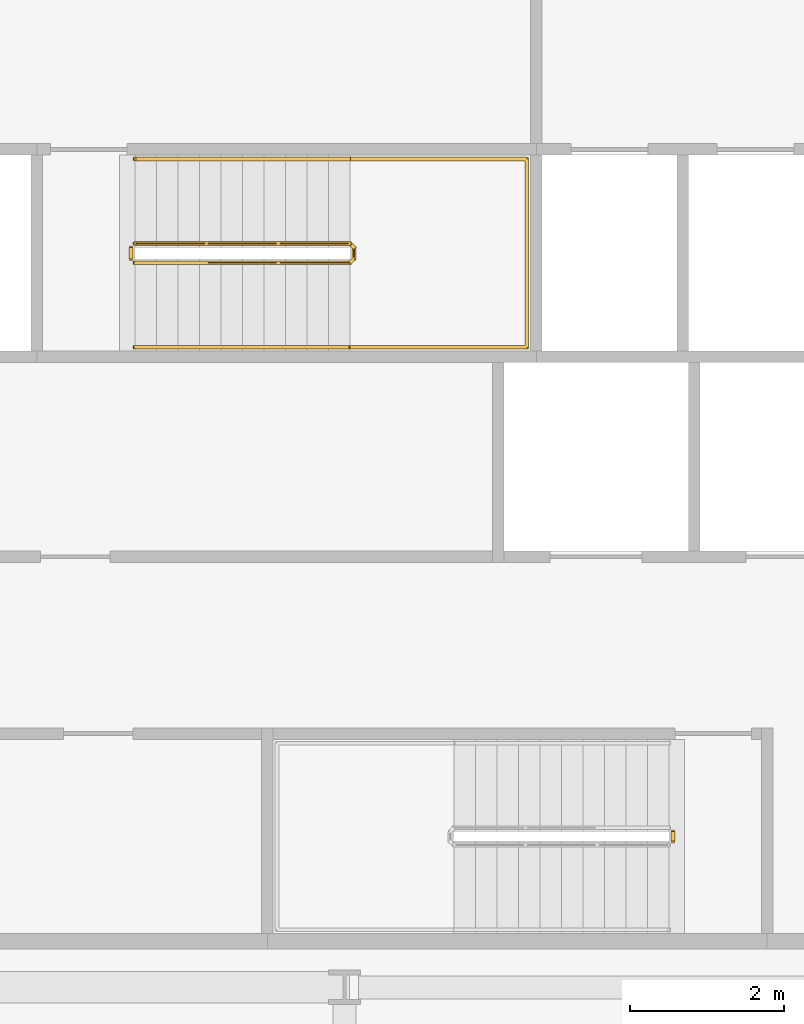
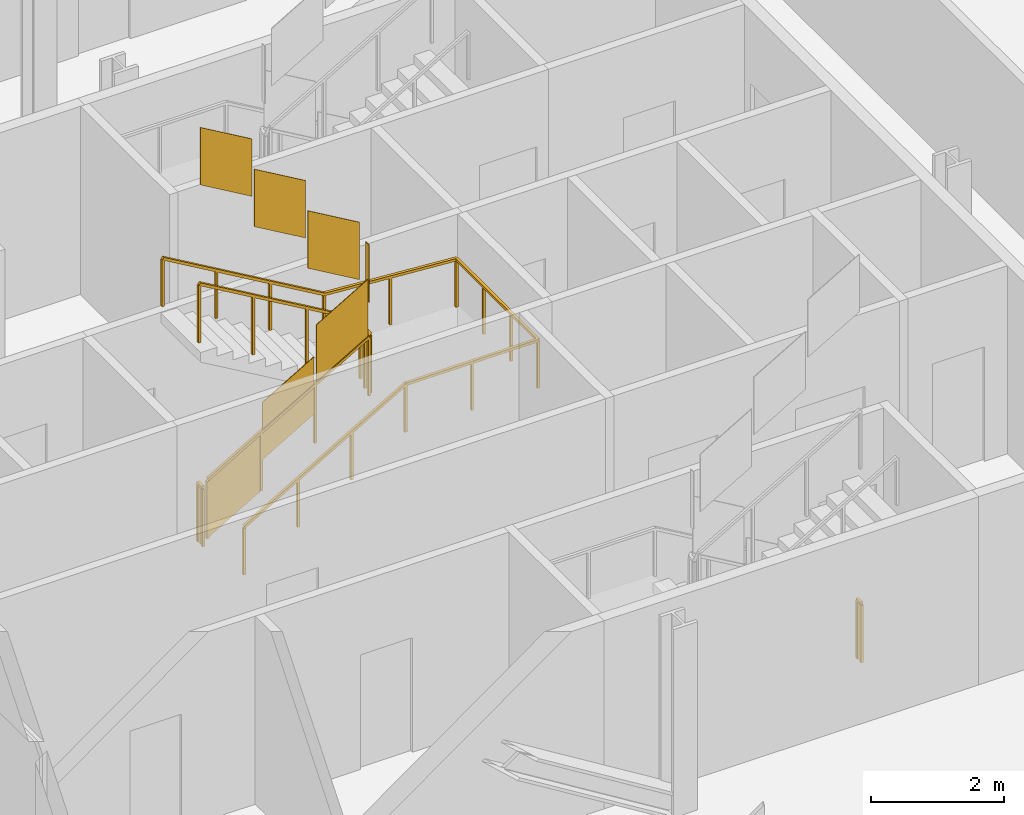
# One storey, part 16 of 19: 4 railings.
"""IFC4 building model written with IfcOpenShell, lengths in metres."""

from ifc_helpers import new_model, si_unit, direction, frame, origin, origin_2d, place, context, subcontext, project, spatial, polyline, rectangle, outline, extrude, material, type_object, element, save


model = new_model("IFC4")

# Units and contexts
model_context = context("Model", 3, precision=1e-05, world=origin(), true_north=direction((0.0, 1.0)))
body_context = subcontext(model_context, "Body", "Model", "MODEL_VIEW")
ifc_project = project(units=[si_unit("LENGTHUNIT", "METRE"), si_unit("AREAUNIT", "SQUARE_METRE"), si_unit("VOLUMEUNIT", "CUBIC_METRE"), si_unit("PLANEANGLEUNIT", "RADIAN"), si_unit("MASSUNIT", "GRAM", prefix="KILO")], contexts=[model_context])

# Site, building, storey
site_placement = place(None, origin())
site = spatial("IfcSite", under=ifc_project, at=site_placement, CompositionType="ELEMENT")
building_placement = place(site_placement, origin())
building = spatial("IfcBuilding", under=site, at=building_placement, Name="Cairn Pilgrim Tower", CompositionType="ELEMENT")
storey_placement = place(building_placement, frame((0.0, 0.0, 186.60009765625)))
storey = spatial("IfcBuildingStorey", under=building, at=storey_placement, Name="L47", CompositionType="ELEMENT", Elevation=186.60009765625)

# Railings
ifc_material = material(Name="Painted steel", Category="steel")
railing_type_1 = type_object("IfcRailingType", Name="STAIR GUARD 1100", PredefinedType="GUARDRAIL", material=ifc_material)
railing_1_placement = place(storey_placement, frame((11.47509765625, -3.97509765625, 0.0)))
element("IfcRailing", 1, at=railing_1_placement, inside=storey, type_object=railing_type_1, Name="L47 ST-A stair guard 2", PredefinedType="GUARDRAIL", context=body_context, shape_type="SweptSolid", body=[
    extrude(rectangle(XDim=0.048095703125, YDim=0.048095703125, at=origin_2d()), frame((0.0, 0.0, 1.076171875), z_axis=(0.0, -1.0, 0.0), x_axis=(1.0, 0.0, 0.0)), (0.0, 0.0, 1.0), 0.125),
    extrude(rectangle(XDim=0.0419921875, YDim=0.0419921875, at=origin_2d()), origin(), (0.0, 0.0, 1.0), 1.052001953125),
    extrude(rectangle(XDim=0.0419921875, YDim=0.0419921875, at=origin_2d()), frame((0.0, -0.125, 0.0)), (0.0, 0.0, 1.0), 1.052001953125),
    extrude(outline(polyline([(0.02099609375, 0.0), (0.10400390625, 0.0), (0.10400390625, 1.052001953125), (0.02099609375, 1.052001953125), (0.02099609375, 0.0)])), frame((0.005859375, 0.0, 0.0), z_axis=(-1.0, 0.0, 0.0), x_axis=(0.0, -1.0, 0.0)), (0.0, 0.0, 1.0), 0.011962890625),
])
railing_2_placement = place(storey_placement, frame((4.47509765625, 3.425048828125, 0.16357421875)))
element("IfcRailing", 2, at=railing_2_placement, inside=storey, type_object=railing_type_1, Name="L47 ST-B stair guard 1", PredefinedType="GUARDRAIL", context=body_context, shape_type="SweptSolid", body=[
    extrude(rectangle(XDim=0.048095703125, YDim=0.048095703125, at=origin_2d()), frame((0.0, 0.0, 1.076171875), z_axis=(0.863374499697, 0.0, 0.504563646405), x_axis=(0.0, 1.0, 0.0)), (0.0, 0.0, 1.0), 3.242919921875),
    extrude(rectangle(XDim=0.048095703125, YDim=0.048095703125, at=origin_2d()), frame((2.7998046875, 0.0, 2.71240234375), z_axis=(0.707106781187, 0.707106781187, 0.0), x_axis=(-0.707106781187, 0.707106781187, 0.0)), (0.0, 0.0, 1.0), 0.07080078125),
    extrude(rectangle(XDim=0.048095703125, YDim=0.048095703125, at=origin_2d()), frame((2.849853515625, 0.050048828125, 2.71240234375), z_axis=(0.0, 1.0, 0.0), x_axis=(-1.0, 0.0, 0.0)), (0.0, 0.0, 1.0), 0.14990234375),
    extrude(rectangle(XDim=0.048095703125, YDim=0.048095703125, at=origin_2d()), frame((2.849853515625, 0.199951171875, 2.71240234375), z_axis=(-0.280456126637, 0.280456126637, 0.917980785237), x_axis=(-0.707106781187, -0.707106781187, 0.0)), (0.0, 0.0, 1.0), 0.178466796875),
    extrude(rectangle(XDim=0.048095703125, YDim=0.048095703125, at=origin_2d()), frame((2.7998046875, 0.25, 2.8759765625), z_axis=(-0.863374499697, 0.0, 0.504563646405), x_axis=(0.0, -1.0, 0.0)), (0.0, 0.0, 1.0), 3.242919921875),
    extrude(rectangle(XDim=0.0419921875, YDim=0.0419921875, at=origin_2d()), origin(), (0.0, 0.0, 1.0), 1.052001953125),
    extrude(rectangle(XDim=0.0419921875, YDim=0.0419921875, at=origin_2d()), frame((0.933349609375, 0.0, 0.54541015625)), (0.0, 0.0, 1.0), 1.052001953125),
    extrude(rectangle(XDim=0.0419921875, YDim=0.0419921875, at=origin_2d()), frame((1.866455078125, 0.0, 1.0908203125)), (0.0, 0.0, 1.0), 1.052001953125),
    extrude(rectangle(XDim=0.0419921875, YDim=0.0419921875, at=origin_2d()), frame((2.7998046875, 0.0, 1.63623046875)), (0.0, 0.0, 1.0), 1.052001953125),
    extrude(rectangle(XDim=0.0419921875, YDim=0.0419921875, at=origin_2d()), frame((2.849853515625, 0.050048828125, 1.63623046875)), (0.0, 0.0, 1.0), 1.052001953125),
    extrude(rectangle(XDim=0.0419921875, YDim=0.0419921875, at=origin_2d()), frame((2.849853515625, 0.199951171875, 1.63623046875)), (0.0, 0.0, 1.0), 1.052001953125),
    extrude(rectangle(XDim=0.0419921875, YDim=0.0419921875, at=origin_2d()), frame((2.7998046875, 0.25, 1.800048828125)), (0.0, 0.0, 1.0), 1.052001953125),
    extrude(rectangle(XDim=0.0419921875, YDim=0.0419921875, at=origin_2d()), frame((1.866455078125, 0.25, 2.345458984375)), (0.0, 0.0, 1.0), 1.052001953125),
    extrude(rectangle(XDim=0.0419921875, YDim=0.0419921875, at=origin_2d()), frame((0.933349609375, 0.25, 2.890869140625)), (0.0, 0.0, 1.0), 1.052001953125),
    extrude(rectangle(XDim=0.0419921875, YDim=0.0419921875, at=origin_2d()), frame((0.0, 0.25, 3.436279296875)), (0.0, 0.0, 1.0), 1.052001953125),
    extrude(outline(polyline([(0.02099609375, 0.01220703125), (0.912353515625, 0.533203125), (0.912353515625, 1.585205078125), (0.02099609375, 1.064208984375), (0.02099609375, 0.01220703125)])), frame((0.0, 0.005859375, 0.0), z_axis=(0.0, -1.0, 0.0), x_axis=(1.0, 0.0, 0.0)), (0.0, 0.0, 1.0), 0.011962890625),
    extrude(outline(polyline([(0.02099609375, 0.5576171875), (0.912353515625, 1.07861328125), (0.912353515625, 2.130615234375), (0.02099609375, 1.609619140625), (0.02099609375, 0.5576171875)])), frame((0.933349609375, 0.005859375, 0.54541015625), z_axis=(0.0, -1.0, 0.0), x_axis=(1.0, 0.0, 0.0)), (0.0, 0.0, 1.0), 0.011962890625),
    extrude(outline(polyline([(0.02099609375, 1.10302734375), (0.912353515625, 1.6240234375), (0.912353515625, 2.676025390625), (0.02099609375, 2.155029296875), (0.02099609375, 1.10302734375)])), frame((1.866455078125, 0.005859375, 1.0908203125), z_axis=(0.0, -1.0, 0.0), x_axis=(1.0, 0.0, 0.0)), (0.0, 0.0, 1.0), 0.011962890625),
    extrude(outline(polyline([(0.02099609375, 1.63623046875), (0.12890625, 1.63623046875), (0.12890625, 2.688232421875), (0.02099609375, 2.688232421875), (0.02099609375, 1.63623046875)])), frame((2.84375, 0.050048828125, 1.63623046875), z_axis=(1.0, 0.0, 0.0), x_axis=(0.0, 1.0, 0.0)), (0.0, 0.0, 1.0), 0.011962890625),
    extrude(outline(polyline([(0.02099609375, 1.812255859375), (0.912353515625, 2.333251953125), (0.912353515625, 3.38525390625), (0.02099609375, 2.8642578125), (0.02099609375, 1.812255859375)])), frame((2.7998046875, 0.244140625, 1.800048828125), z_axis=(0.0, 1.0, 0.0), x_axis=(-1.0, 0.0, 0.0)), (0.0, 0.0, 1.0), 0.011962890625),
    extrude(outline(polyline([(0.02099609375, 2.357666015625), (0.912353515625, 2.878662109375), (0.912353515625, 3.9306640625), (0.02099609375, 3.40966796875), (0.02099609375, 2.357666015625)])), frame((1.866455078125, 0.244140625, 2.345458984375), z_axis=(0.0, 1.0, 0.0), x_axis=(-1.0, 0.0, 0.0)), (0.0, 0.0, 1.0), 0.011962890625),
    extrude(outline(polyline([(0.02099609375, 2.903076171875), (0.912353515625, 3.424072265625), (0.912353515625, 4.47607421875), (0.02099609375, 3.955078125), (0.02099609375, 2.903076171875)])), frame((0.933349609375, 0.244140625, 2.890869140625), z_axis=(0.0, 1.0, 0.0), x_axis=(-1.0, 0.0, 0.0)), (0.0, 0.0, 1.0), 0.011962890625),
])
railing_3_placement = place(storey_placement, frame((4.425048828125, 3.47509765625, 0.0)))
element("IfcRailing", 3, at=railing_3_placement, inside=storey, type_object=railing_type_1, Name="L47 ST-B stair guard 2", PredefinedType="GUARDRAIL", context=body_context, shape_type="SweptSolid", body=[
    extrude(rectangle(XDim=0.048095703125, YDim=0.048095703125, at=origin_2d()), frame((0.0, 0.0, 1.076171875), z_axis=(0.0, 1.0, 0.0), x_axis=(-1.0, 0.0, 0.0)), (0.0, 0.0, 1.0), 0.14990234375),
    extrude(rectangle(XDim=0.0419921875, YDim=0.0419921875, at=origin_2d()), origin(), (0.0, 0.0, 1.0), 1.052001953125),
    extrude(rectangle(XDim=0.0419921875, YDim=0.0419921875, at=origin_2d()), frame((0.0, 0.14990234375, 0.0)), (0.0, 0.0, 1.0), 1.052001953125),
    extrude(outline(polyline([(0.02099609375, 0.0), (0.12890625, 0.0), (0.12890625, 1.052001953125), (0.02099609375, 1.052001953125), (0.02099609375, 0.0)])), frame((-0.005859375, 0.0, 0.0), z_axis=(1.0, 0.0, 0.0), x_axis=(0.0, 1.0, 0.0)), (0.0, 0.0, 1.0), 0.011962890625),
])
railing_type_2 = type_object("IfcRailingType", Name="STAIR HANDRAIL 900", PredefinedType="HANDRAIL", material=ifc_material)
railing_4_placement = place(storey_placement, frame((4.47509765625, 2.324951171875, 0.16357421875)))
element("IfcRailing", 4, at=railing_4_placement, inside=storey, type_object=railing_type_2, Name="L47 ST-B stair handrail 1", PredefinedType="HANDRAIL", context=body_context, shape_type="SweptSolid", body=[
    extrude(rectangle(XDim=0.048095703125, YDim=0.048095703125, at=origin_2d()), frame((0.0, 0.0, 0.8759765625), z_axis=(0.863374499697, 0.0, 0.504563646405), x_axis=(0.0, 1.0, 0.0)), (0.0, 0.0, 1.0), 3.242919921875),
    extrude(rectangle(XDim=0.048095703125, YDim=0.048095703125, at=origin_2d()), frame((2.7998046875, 0.0, 2.51220703125), z_axis=(1.0, 0.0, 0.0), x_axis=(0.0, 1.0, 0.0)), (0.0, 0.0, 1.0), 2.300048828125),
    extrude(rectangle(XDim=0.048095703125, YDim=0.048095703125, at=origin_2d()), frame((5.099853515625, 0.0, 2.51220703125), z_axis=(0.0, 1.0, 0.0), x_axis=(-1.0, 0.0, 0.0)), (0.0, 0.0, 1.0), 2.449951171875),
    extrude(rectangle(XDim=0.048095703125, YDim=0.048095703125, at=origin_2d()), frame((5.099853515625, 2.449951171875, 2.51220703125), z_axis=(-0.99747319029, 0.0, 0.071043892441), x_axis=(0.0, -1.0, 0.0)), (0.0, 0.0, 1.0), 2.305908203125),
    extrude(rectangle(XDim=0.048095703125, YDim=0.048095703125, at=origin_2d()), frame((2.7998046875, 2.449951171875, 2.67578125), z_axis=(-0.863374499697, 0.0, 0.504563646405), x_axis=(0.0, -1.0, 0.0)), (0.0, 0.0, 1.0), 3.242919921875),
    extrude(rectangle(XDim=0.0419921875, YDim=0.0419921875, at=origin_2d()), origin(), (0.0, 0.0, 1.0), 0.851806640625),
    extrude(rectangle(XDim=0.0419921875, YDim=0.0419921875, at=origin_2d()), frame((0.933349609375, 0.0, 0.54541015625)), (0.0, 0.0, 1.0), 0.851806640625),
    extrude(rectangle(XDim=0.0419921875, YDim=0.0419921875, at=origin_2d()), frame((1.866455078125, 0.0, 1.0908203125)), (0.0, 0.0, 1.0), 0.851806640625),
    extrude(rectangle(XDim=0.0419921875, YDim=0.0419921875, at=origin_2d()), frame((2.7998046875, 0.0, 1.63623046875)), (0.0, 0.0, 1.0), 0.851806640625),
    extrude(rectangle(XDim=0.0419921875, YDim=0.0419921875, at=origin_2d()), frame((3.94970703125, 0.0, 1.63623046875)), (0.0, 0.0, 1.0), 0.851806640625),
    extrude(rectangle(XDim=0.0419921875, YDim=0.0419921875, at=origin_2d()), frame((5.099853515625, 0.0, 1.63623046875)), (0.0, 0.0, 1.0), 0.851806640625),
    extrude(rectangle(XDim=0.0419921875, YDim=0.0419921875, at=origin_2d()), frame((5.099853515625, 0.816650390625, 1.63623046875)), (0.0, 0.0, 1.0), 0.851806640625),
    extrude(rectangle(XDim=0.0419921875, YDim=0.0419921875, at=origin_2d()), frame((5.099853515625, 1.63330078125, 1.63623046875)), (0.0, 0.0, 1.0), 0.851806640625),
    extrude(rectangle(XDim=0.0419921875, YDim=0.0419921875, at=origin_2d()), frame((5.099853515625, 2.449951171875, 1.63623046875)), (0.0, 0.0, 1.0), 0.851806640625),
    extrude(rectangle(XDim=0.0419921875, YDim=0.0419921875, at=origin_2d()), frame((3.94970703125, 2.449951171875, 1.71826171875)), (0.0, 0.0, 1.0), 0.851806640625),
    extrude(rectangle(XDim=0.0419921875, YDim=0.0419921875, at=origin_2d()), frame((2.7998046875, 2.449951171875, 1.800048828125)), (0.0, 0.0, 1.0), 0.851806640625),
    extrude(rectangle(XDim=0.0419921875, YDim=0.0419921875, at=origin_2d()), frame((1.866455078125, 2.449951171875, 2.345458984375)), (0.0, 0.0, 1.0), 0.851806640625),
    extrude(rectangle(XDim=0.0419921875, YDim=0.0419921875, at=origin_2d()), frame((0.933349609375, 2.449951171875, 2.890869140625)), (0.0, 0.0, 1.0), 0.851806640625),
    extrude(rectangle(XDim=0.0419921875, YDim=0.0419921875, at=origin_2d()), frame((0.0, 2.449951171875, 3.436279296875)), (0.0, 0.0, 1.0), 0.851806640625),
])

save(model, "model.ifc")
